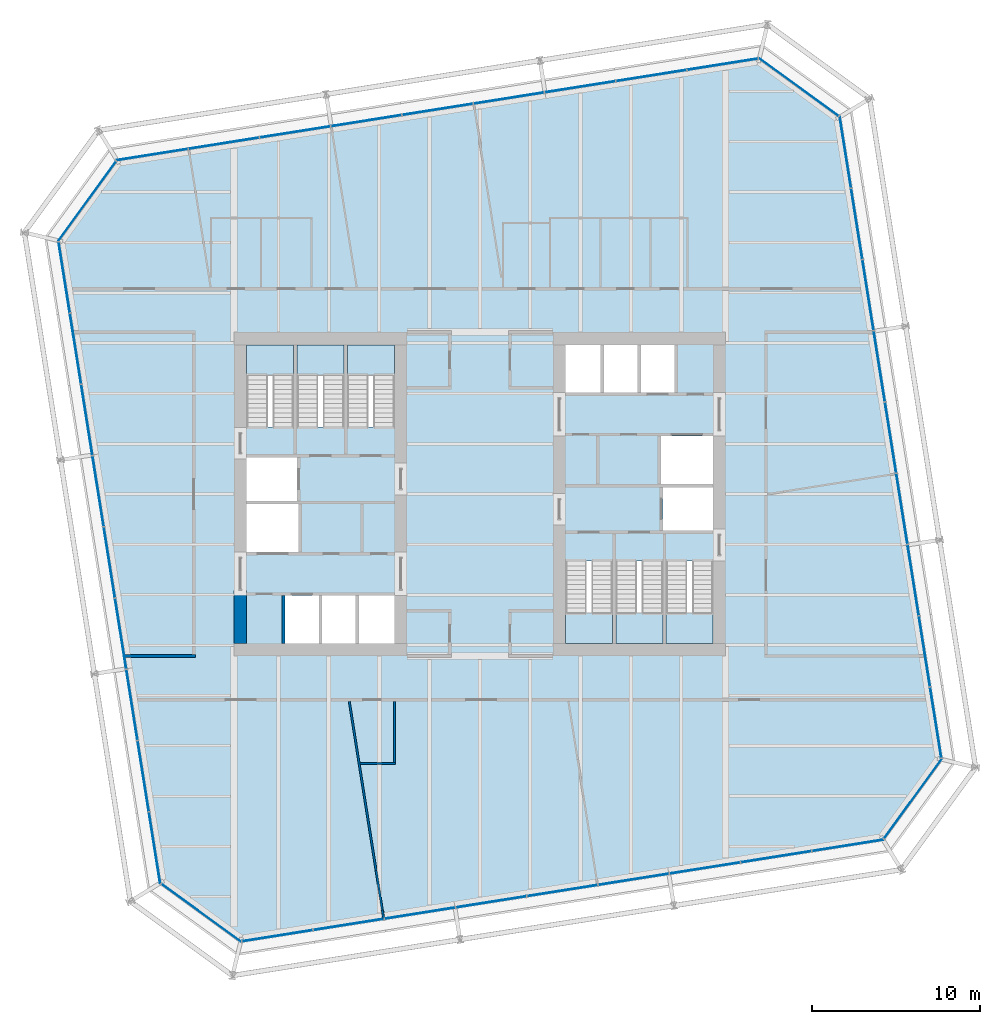
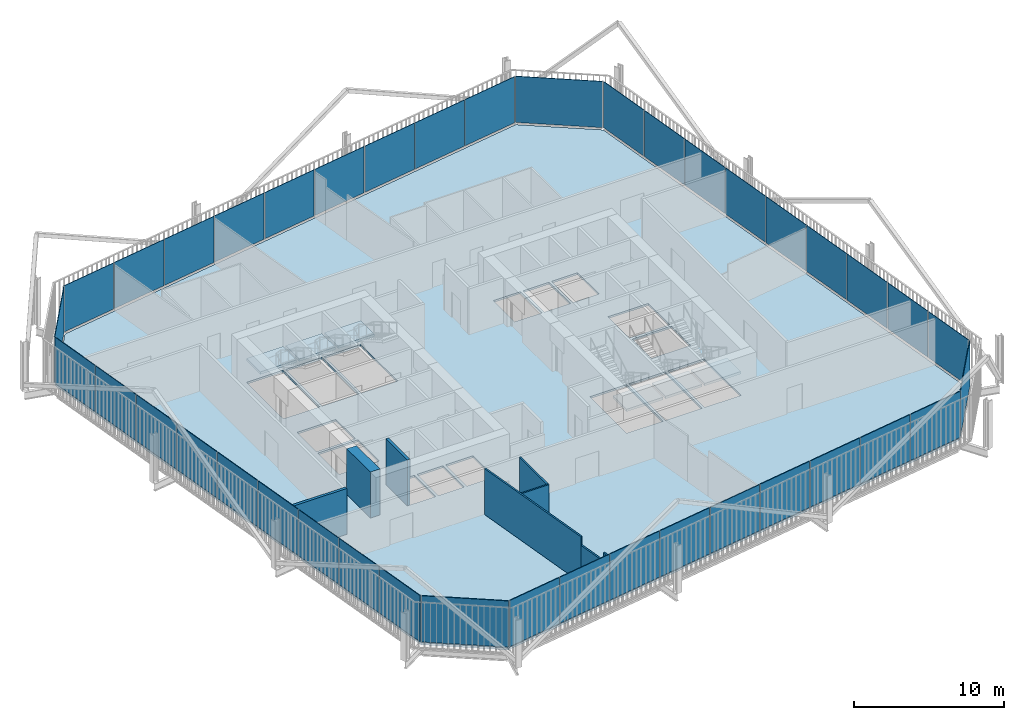
# One storey, part 17 of 22: 40 plates, 8 walls, 7 slabs, 14 elements without a shape of their own.
"""IFC4 building model written with IfcOpenShell, lengths in metres."""

from ifc_helpers import new_model, si_unit, direction, frame, frame_2d, origin, place, context, subcontext, project, spatial, polyline, rectangle, outline, extrude, material, layer, layer_set, type_object, element, aggregate, save


model = new_model("IFC4")

# Units and contexts
model_context = context("Model", 3, precision=1e-05, world=origin(), true_north=direction((0.0, 1.0)))
body_context = subcontext(model_context, "Body", "Model", "MODEL_VIEW")
ifc_project = project(units=[si_unit("LENGTHUNIT", "METRE"), si_unit("AREAUNIT", "SQUARE_METRE"), si_unit("VOLUMEUNIT", "CUBIC_METRE"), si_unit("PLANEANGLEUNIT", "RADIAN"), si_unit("MASSUNIT", "GRAM", prefix="KILO")], contexts=[model_context])

# Site, building, storey
site_placement = place(None, origin())
site = spatial("IfcSite", under=ifc_project, at=site_placement, CompositionType="ELEMENT")
building_placement = place(site_placement, origin())
building = spatial("IfcBuilding", under=site, at=building_placement, Name="Millrace Tower", CompositionType="ELEMENT")
storey_placement = place(building_placement, frame((0.0, 0.0, 187.800048828125)))
storey = spatial("IfcBuildingStorey", under=building, at=storey_placement, Name="L42", CompositionType="ELEMENT", Elevation=187.800048828125)

# Curtain wall, plate
ifc_material_1 = material(Name="Aluminium and glass", Category="aluminium")
ifc_layer_1 = layer(ifc_material_1, 0.14990234375)
ifc_layer_set_1 = layer_set([ifc_layer_1], Name="Aluminium and glass")
curtain_wall_type = type_object("IfcCurtainWallType", Name="CW-1 office vision curtain wall", PredefinedType="NOTDEFINED", material=ifc_layer_set_1)
placement_1 = place(storey_placement, origin())
curtain_wall_1 = element("IfcCurtainWall", 1, at=placement_1, inside=storey, type_object=curtain_wall_type, Name="Curtain wall C-F01 L42", PredefinedType="NOTDEFINED")
ifc_material_2 = material(Name="Glass", Category="glass")
ifc_layer_2 = layer(ifc_material_2, 0.0439453125)
ifc_layer_set_2 = layer_set([ifc_layer_2], Name="Glass")
plate_type = type_object("IfcPlateType", Name="CW-1 office vision curtain wall triple-glazed vision panel", PredefinedType="CURTAIN_PANEL", material=ifc_layer_set_2)
placement_2 = place(storey_placement, frame((0.0, 0.0, 0.139892578125)))
plate_1 = element("IfcPlate", 2, at=placement_2, type_object=plate_type, Name="CW1 panel C-F01.1", PredefinedType="CURTAIN_PANEL", context=body_context, shape_type="SweptSolid", body=[
    extrude(outline(polyline([(-18.988037109375, -23.254638671875), (-14.260009765625, -26.689697265625), (-14.2490234375, -26.6435546875), (-18.962158203125, -23.218994140625), (-18.988037109375, -23.254638671875)])), origin(), (0.0, 0.0, 1.0), 3.760009765625),
])
aggregate(curtain_wall_1, [plate_1])

# Curtain wall, plates
curtain_wall_2 = element("IfcCurtainWall", 3, at=placement_1, inside=storey, type_object=curtain_wall_type, Name="Curtain wall C-F02 L42", PredefinedType="NOTDEFINED")
plate_2 = element("IfcPlate", 4, at=placement_2, type_object=plate_type, Name="CW1 panel C-F02.1", PredefinedType="CURTAIN_PANEL", context=body_context, shape_type="SweptSolid", body=[
    extrude(outline(polyline([(-14.15625, -26.67333984375), (-9.973388671875, -26.0107421875), (-9.980224609375, -25.96728515625), (-14.1630859375, -26.6298828125), (-14.15625, -26.67333984375)])), origin(), (0.0, 0.0, 1.0), 3.760009765625),
])
plate_3 = element("IfcPlate", 5, at=placement_2, type_object=plate_type, Name="CW1 panel C-F02.2", PredefinedType="CURTAIN_PANEL", context=body_context, shape_type="SweptSolid", body=[
    extrude(outline(polyline([(-9.9091796875, -26.000732421875), (-5.726318359375, -25.338134765625), (-5.733154296875, -25.294677734375), (-9.916015625, -25.957275390625), (-9.9091796875, -26.000732421875)])), origin(), (0.0, 0.0, 1.0), 3.760009765625),
])
plate_4 = element("IfcPlate", 6, at=placement_2, type_object=plate_type, Name="CW1 panel C-F02.3", PredefinedType="CURTAIN_PANEL", context=body_context, shape_type="SweptSolid", body=[
    extrude(outline(polyline([(-5.662109375, -25.327880859375), (-1.479248046875, -24.66552734375), (-1.486083984375, -24.6220703125), (-5.6689453125, -25.284423828125), (-5.662109375, -25.327880859375)])), origin(), (0.0, 0.0, 1.0), 3.760009765625),
])
plate_5 = element("IfcPlate", 7, at=placement_2, type_object=plate_type, Name="CW1 panel C-F02.4", PredefinedType="CURTAIN_PANEL", context=body_context, shape_type="SweptSolid", body=[
    extrude(outline(polyline([(-1.4150390625, -24.6552734375), (2.767822265625, -23.992919921875), (2.760986328125, -23.949462890625), (-1.421875, -24.61181640625), (-1.4150390625, -24.6552734375)])), origin(), (0.0, 0.0, 1.0), 3.760009765625),
])
plate_6 = element("IfcPlate", 8, at=placement_2, type_object=plate_type, Name="CW1 panel C-F02.5", PredefinedType="CURTAIN_PANEL", context=body_context, shape_type="SweptSolid", body=[
    extrude(outline(polyline([(2.83203125, -23.982666015625), (7.014892578125, -23.320068359375), (7.008056640625, -23.276611328125), (2.8251953125, -23.939208984375), (2.83203125, -23.982666015625)])), origin(), (0.0, 0.0, 1.0), 3.760009765625),
])
plate_7 = element("IfcPlate", 9, at=placement_2, type_object=plate_type, Name="CW1 panel C-F02.6", PredefinedType="CURTAIN_PANEL", context=body_context, shape_type="SweptSolid", body=[
    extrude(outline(polyline([(7.0791015625, -23.31005859375), (11.261962890625, -22.6474609375), (11.255126953125, -22.60400390625), (7.072265625, -23.2666015625), (7.0791015625, -23.31005859375)])), origin(), (0.0, 0.0, 1.0), 3.760009765625),
])
plate_8 = element("IfcPlate", 10, at=placement_2, type_object=plate_type, Name="CW1 panel C-F02.7", PredefinedType="CURTAIN_PANEL", context=body_context, shape_type="SweptSolid", body=[
    extrude(outline(polyline([(11.326171875, -22.63720703125), (15.509033203125, -21.974853515625), (15.502197265625, -21.931396484375), (11.3193359375, -22.59375), (11.326171875, -22.63720703125)])), origin(), (0.0, 0.0, 1.0), 3.760009765625),
])
plate_9 = element("IfcPlate", 11, at=placement_2, type_object=plate_type, Name="CW1 panel C-F02.8", PredefinedType="CURTAIN_PANEL", context=body_context, shape_type="SweptSolid", body=[
    extrude(outline(polyline([(15.5732421875, -21.964599609375), (19.756103515625, -21.30224609375), (19.749267578125, -21.2587890625), (15.56640625, -21.921142578125), (15.5732421875, -21.964599609375)])), origin(), (0.0, 0.0, 1.0), 3.760009765625),
])
plate_10 = element("IfcPlate", 12, at=placement_2, type_object=plate_type, Name="CW1 panel C-F02.9", PredefinedType="CURTAIN_PANEL", context=body_context, shape_type="SweptSolid", body=[
    extrude(outline(polyline([(19.8203125, -21.2919921875), (24.042724609375, -20.623291015625), (24.01806640625, -20.58251953125), (19.8134765625, -21.24853515625), (19.8203125, -21.2919921875)])), origin(), (0.0, 0.0, 1.0), 3.760009765625),
])
aggregate(curtain_wall_2, [plate_2, plate_3, plate_4, plate_5, plate_6, plate_7, plate_8, plate_9, plate_10])

# Curtain wall, plate
curtain_wall_3 = element("IfcCurtainWall", 13, at=placement_1, inside=storey, type_object=curtain_wall_type, Name="Curtain wall C-F03 L42", PredefinedType="NOTDEFINED")
plate_11 = element("IfcPlate", 14, at=placement_2, type_object=plate_type, Name="CW1 panel C-F03.1", PredefinedType="CURTAIN_PANEL", context=body_context, shape_type="SweptSolid", body=[
    extrude(outline(polyline([(24.104736328125, -20.5380859375), (27.539794921875, -15.81005859375), (27.493408203125, -15.799072265625), (24.069091796875, -20.51220703125), (24.104736328125, -20.5380859375)])), origin(), (0.0, 0.0, 1.0), 3.760009765625),
])
aggregate(curtain_wall_3, [plate_11])

# Curtain wall, plates
curtain_wall_4 = element("IfcCurtainWall", 15, at=placement_1, inside=storey, type_object=curtain_wall_type, Name="Curtain wall C-F04 L42", PredefinedType="NOTDEFINED")
plate_12 = element("IfcPlate", 16, at=placement_2, type_object=plate_type, Name="CW1 panel C-F04.1", PredefinedType="CURTAIN_PANEL", context=body_context, shape_type="SweptSolid", body=[
    extrude(outline(polyline([(27.5234375, -15.706298828125), (26.86083984375, -11.5234375), (26.8173828125, -11.5302734375), (27.47998046875, -15.713134765625), (27.5234375, -15.706298828125)])), origin(), (0.0, 0.0, 1.0), 3.760009765625),
])
plate_13 = element("IfcPlate", 17, at=placement_2, type_object=plate_type, Name="CW1 panel C-F04.2", PredefinedType="CURTAIN_PANEL", context=body_context, shape_type="SweptSolid", body=[
    extrude(outline(polyline([(26.8505859375, -11.459228515625), (26.188232421875, -7.2763671875), (26.144775390625, -7.283203125), (26.80712890625, -11.466064453125), (26.8505859375, -11.459228515625)])), origin(), (0.0, 0.0, 1.0), 3.760009765625),
])
plate_14 = element("IfcPlate", 18, at=placement_2, type_object=plate_type, Name="CW1 panel C-F04.3", PredefinedType="CURTAIN_PANEL", context=body_context, shape_type="SweptSolid", body=[
    extrude(outline(polyline([(26.177978515625, -7.212158203125), (25.515380859375, -3.029296875), (25.471923828125, -3.0361328125), (26.134521484375, -7.218994140625), (26.177978515625, -7.212158203125)])), origin(), (0.0, 0.0, 1.0), 3.760009765625),
])
plate_15 = element("IfcPlate", 19, at=placement_2, type_object=plate_type, Name="CW1 panel C-F04.4", PredefinedType="CURTAIN_PANEL", context=body_context, shape_type="SweptSolid", body=[
    extrude(outline(polyline([(25.50537109375, -2.965087890625), (24.8427734375, 1.2177734375), (24.79931640625, 1.2109375), (25.4619140625, -2.971923828125), (25.50537109375, -2.965087890625)])), origin(), (0.0, 0.0, 1.0), 3.760009765625),
])
plate_16 = element("IfcPlate", 20, at=placement_2, type_object=plate_type, Name="CW1 panel C-F04.5", PredefinedType="CURTAIN_PANEL", context=body_context, shape_type="SweptSolid", body=[
    extrude(outline(polyline([(24.832763671875, 1.281982421875), (24.170166015625, 5.46484375), (24.126708984375, 5.4580078125), (24.789306640625, 1.275146484375), (24.832763671875, 1.281982421875)])), origin(), (0.0, 0.0, 1.0), 3.760009765625),
])
plate_17 = element("IfcPlate", 21, at=placement_2, type_object=plate_type, Name="CW1 panel C-F04.6", PredefinedType="CURTAIN_PANEL", context=body_context, shape_type="SweptSolid", body=[
    extrude(outline(polyline([(24.159912109375, 5.529052734375), (23.49755859375, 9.7119140625), (23.4541015625, 9.705078125), (24.116455078125, 5.522216796875), (24.159912109375, 5.529052734375)])), origin(), (0.0, 0.0, 1.0), 3.760009765625),
])
plate_18 = element("IfcPlate", 22, at=placement_2, type_object=plate_type, Name="CW1 panel C-F04.7", PredefinedType="CURTAIN_PANEL", context=body_context, shape_type="SweptSolid", body=[
    extrude(outline(polyline([(23.4873046875, 9.776123046875), (22.82470703125, 13.958984375), (22.78125, 13.9521484375), (23.44384765625, 9.769287109375), (23.4873046875, 9.776123046875)])), origin(), (0.0, 0.0, 1.0), 3.760009765625),
])
plate_19 = element("IfcPlate", 23, at=placement_2, type_object=plate_type, Name="CW1 panel C-F04.8", PredefinedType="CURTAIN_PANEL", context=body_context, shape_type="SweptSolid", body=[
    extrude(outline(polyline([(22.814697265625, 14.023193359375), (22.152099609375, 18.2060546875), (22.108642578125, 18.19921875), (22.771240234375, 14.016357421875), (22.814697265625, 14.023193359375)])), origin(), (0.0, 0.0, 1.0), 3.760009765625),
])
plate_20 = element("IfcPlate", 24, at=placement_2, type_object=plate_type, Name="CW1 panel C-F04.9", PredefinedType="CURTAIN_PANEL", context=body_context, shape_type="SweptSolid", body=[
    extrude(outline(polyline([(22.14208984375, 18.270263671875), (21.47314453125, 22.492919921875), (21.4326171875, 22.468017578125), (22.0986328125, 18.263427734375), (22.14208984375, 18.270263671875)])), origin(), (0.0, 0.0, 1.0), 3.760009765625),
])
aggregate(curtain_wall_4, [plate_12, plate_13, plate_14, plate_15, plate_16, plate_17, plate_18, plate_19, plate_20])

# Curtain wall, plate
curtain_wall_5 = element("IfcCurtainWall", 25, at=placement_1, inside=storey, type_object=curtain_wall_type, Name="Curtain wall C-F05 L42", PredefinedType="NOTDEFINED")
plate_21 = element("IfcPlate", 26, at=placement_2, type_object=plate_type, Name="CW1 panel C-F05.1", PredefinedType="CURTAIN_PANEL", context=body_context, shape_type="SweptSolid", body=[
    extrude(outline(polyline([(21.38818359375, 22.5546875), (16.66015625, 25.98974609375), (16.64892578125, 25.943359375), (21.3623046875, 22.51904296875), (21.38818359375, 22.5546875)])), origin(), (0.0, 0.0, 1.0), 3.760009765625),
])
aggregate(curtain_wall_5, [plate_21])

# Curtain wall, plates
curtain_wall_6 = element("IfcCurtainWall", 27, at=placement_1, inside=storey, type_object=curtain_wall_type, Name="Curtain wall C-F06 L42", PredefinedType="NOTDEFINED")
plate_22 = element("IfcPlate", 28, at=placement_2, type_object=plate_type, Name="CW1 panel C-F06.1", PredefinedType="CURTAIN_PANEL", context=body_context, shape_type="SweptSolid", body=[
    extrude(outline(polyline([(16.55615234375, 25.973388671875), (12.373291015625, 25.310791015625), (12.380126953125, 25.267333984375), (16.56298828125, 25.929931640625), (16.55615234375, 25.973388671875)])), origin(), (0.0, 0.0, 1.0), 3.760009765625),
])
plate_23 = element("IfcPlate", 29, at=placement_2, type_object=plate_type, Name="CW1 panel C-F06.2", PredefinedType="CURTAIN_PANEL", context=body_context, shape_type="SweptSolid", body=[
    extrude(outline(polyline([(12.30908203125, 25.300537109375), (8.126220703125, 24.63818359375), (8.133056640625, 24.5947265625), (12.31591796875, 25.257080078125), (12.30908203125, 25.300537109375)])), origin(), (0.0, 0.0, 1.0), 3.760009765625),
])
plate_24 = element("IfcPlate", 30, at=placement_2, type_object=plate_type, Name="CW1 panel C-F06.3", PredefinedType="CURTAIN_PANEL", context=body_context, shape_type="SweptSolid", body=[
    extrude(outline(polyline([(8.06201171875, 24.6279296875), (3.879150390625, 23.965576171875), (3.885986328125, 23.922119140625), (8.06884765625, 24.58447265625), (8.06201171875, 24.6279296875)])), origin(), (0.0, 0.0, 1.0), 3.760009765625),
])
plate_25 = element("IfcPlate", 31, at=placement_2, type_object=plate_type, Name="CW1 panel C-F06.4", PredefinedType="CURTAIN_PANEL", context=body_context, shape_type="SweptSolid", body=[
    extrude(outline(polyline([(3.81494140625, 23.955322265625), (-0.367919921875, 23.292724609375), (-0.361083984375, 23.249267578125), (3.82177734375, 23.911865234375), (3.81494140625, 23.955322265625)])), origin(), (0.0, 0.0, 1.0), 3.760009765625),
])
plate_26 = element("IfcPlate", 32, at=placement_2, type_object=plate_type, Name="CW1 panel C-F06.5", PredefinedType="CURTAIN_PANEL", context=body_context, shape_type="SweptSolid", body=[
    extrude(outline(polyline([(-0.43212890625, 23.28271484375), (-4.614990234375, 22.6201171875), (-4.60791015625, 22.57666015625), (-0.42529296875, 23.2392578125), (-0.43212890625, 23.28271484375)])), origin(), (0.0, 0.0, 1.0), 3.760009765625),
])
plate_27 = element("IfcPlate", 33, at=placement_2, type_object=plate_type, Name="CW1 panel C-F06.6", PredefinedType="CURTAIN_PANEL", context=body_context, shape_type="SweptSolid", body=[
    extrude(outline(polyline([(-4.67919921875, 22.60986328125), (-8.862060546875, 21.947509765625), (-8.85498046875, 21.904052734375), (-4.672119140625, 22.56640625), (-4.67919921875, 22.60986328125)])), origin(), (0.0, 0.0, 1.0), 3.760009765625),
])
plate_28 = element("IfcPlate", 34, at=placement_2, type_object=plate_type, Name="CW1 panel C-F06.7", PredefinedType="CURTAIN_PANEL", context=body_context, shape_type="SweptSolid", body=[
    extrude(outline(polyline([(-8.92626953125, 21.937255859375), (-13.109130859375, 21.27490234375), (-13.10205078125, 21.2314453125), (-8.919189453125, 21.893798828125), (-8.92626953125, 21.937255859375)])), origin(), (0.0, 0.0, 1.0), 3.760009765625),
])
plate_29 = element("IfcPlate", 35, at=placement_2, type_object=plate_type, Name="CW1 panel C-F06.8", PredefinedType="CURTAIN_PANEL", context=body_context, shape_type="SweptSolid", body=[
    extrude(outline(polyline([(-13.17333984375, 21.2646484375), (-17.356201171875, 20.60205078125), (-17.34912109375, 20.55859375), (-13.166259765625, 21.22119140625), (-13.17333984375, 21.2646484375)])), origin(), (0.0, 0.0, 1.0), 3.760009765625),
])
plate_30 = element("IfcPlate", 36, at=placement_2, type_object=plate_type, Name="CW1 panel C-F06.9", PredefinedType="CURTAIN_PANEL", context=body_context, shape_type="SweptSolid", body=[
    extrude(outline(polyline([(-17.42041015625, 20.592041015625), (-21.642822265625, 19.923095703125), (-21.617919921875, 19.882568359375), (-17.413330078125, 20.548583984375), (-17.42041015625, 20.592041015625)])), origin(), (0.0, 0.0, 1.0), 3.760009765625),
])
aggregate(curtain_wall_6, [plate_22, plate_23, plate_24, plate_25, plate_26, plate_27, plate_28, plate_29, plate_30])

# Curtain wall, plate
curtain_wall_7 = element("IfcCurtainWall", 37, at=placement_1, inside=storey, type_object=curtain_wall_type, Name="Curtain wall C-F07 L42", PredefinedType="NOTDEFINED")
plate_31 = element("IfcPlate", 38, at=placement_2, type_object=plate_type, Name="CW1 panel C-F07.1", PredefinedType="CURTAIN_PANEL", context=body_context, shape_type="SweptSolid", body=[
    extrude(outline(polyline([(-21.70458984375, 19.838134765625), (-25.139892578125, 15.110107421875), (-25.093505859375, 15.098876953125), (-21.6689453125, 19.812255859375), (-21.70458984375, 19.838134765625)])), origin(), (0.0, 0.0, 1.0), 3.760009765625),
])
aggregate(curtain_wall_7, [plate_31])

# Curtain wall, plates
curtain_wall_8 = element("IfcCurtainWall", 39, at=placement_1, inside=storey, type_object=curtain_wall_type, Name="Curtain wall C-F08 L42", PredefinedType="NOTDEFINED")
plate_32 = element("IfcPlate", 40, at=placement_2, type_object=plate_type, Name="CW1 panel C-F08.1", PredefinedType="CURTAIN_PANEL", context=body_context, shape_type="SweptSolid", body=[
    extrude(outline(polyline([(-25.123291015625, 15.006103515625), (-24.4609375, 10.8232421875), (-24.41748046875, 10.830322265625), (-25.079833984375, 15.01318359375), (-25.123291015625, 15.006103515625)])), origin(), (0.0, 0.0, 1.0), 3.760009765625),
])
plate_33 = element("IfcPlate", 41, at=placement_2, type_object=plate_type, Name="CW1 panel C-F08.2", PredefinedType="CURTAIN_PANEL", context=body_context, shape_type="SweptSolid", body=[
    extrude(outline(polyline([(-24.45068359375, 10.759033203125), (-23.7880859375, 6.576171875), (-23.74462890625, 6.583251953125), (-24.4072265625, 10.76611328125), (-24.45068359375, 10.759033203125)])), origin(), (0.0, 0.0, 1.0), 3.760009765625),
])
plate_34 = element("IfcPlate", 42, at=placement_2, type_object=plate_type, Name="CW1 panel C-F08.3", PredefinedType="CURTAIN_PANEL", context=body_context, shape_type="SweptSolid", body=[
    extrude(outline(polyline([(-23.778076171875, 6.511962890625), (-23.115478515625, 2.3291015625), (-23.072021484375, 2.336181640625), (-23.734619140625, 6.51904296875), (-23.778076171875, 6.511962890625)])), origin(), (0.0, 0.0, 1.0), 3.760009765625),
])
plate_35 = element("IfcPlate", 43, at=placement_2, type_object=plate_type, Name="CW1 panel C-F08.4", PredefinedType="CURTAIN_PANEL", context=body_context, shape_type="SweptSolid", body=[
    extrude(outline(polyline([(-23.105224609375, 2.264892578125), (-22.44287109375, -1.91796875), (-22.3994140625, -1.910888671875), (-23.061767578125, 2.27197265625), (-23.105224609375, 2.264892578125)])), origin(), (0.0, 0.0, 1.0), 3.760009765625),
])
plate_36 = element("IfcPlate", 44, at=placement_2, type_object=plate_type, Name="CW1 panel C-F08.5", PredefinedType="CURTAIN_PANEL", context=body_context, shape_type="SweptSolid", body=[
    extrude(outline(polyline([(-22.4326171875, -1.98193359375), (-21.770263671875, -6.164794921875), (-21.726806640625, -6.157958984375), (-22.38916015625, -1.97509765625), (-22.4326171875, -1.98193359375)])), origin(), (0.0, 0.0, 1.0), 3.760009765625),
])
plate_37 = element("IfcPlate", 45, at=placement_2, type_object=plate_type, Name="CW1 panel C-F08.6", PredefinedType="CURTAIN_PANEL", context=body_context, shape_type="SweptSolid", body=[
    extrude(outline(polyline([(-21.760009765625, -6.22900390625), (-21.097412109375, -10.411865234375), (-21.053955078125, -10.405029296875), (-21.716552734375, -6.22216796875), (-21.760009765625, -6.22900390625)])), origin(), (0.0, 0.0, 1.0), 3.760009765625),
])
plate_38 = element("IfcPlate", 46, at=placement_2, type_object=plate_type, Name="CW1 panel C-F08.7", PredefinedType="CURTAIN_PANEL", context=body_context, shape_type="SweptSolid", body=[
    extrude(outline(polyline([(-21.08740234375, -10.47607421875), (-20.4248046875, -14.658935546875), (-20.38134765625, -14.652099609375), (-21.0439453125, -10.46923828125), (-21.08740234375, -10.47607421875)])), origin(), (0.0, 0.0, 1.0), 3.760009765625),
])
plate_39 = element("IfcPlate", 47, at=placement_2, type_object=plate_type, Name="CW1 panel C-F08.8", PredefinedType="CURTAIN_PANEL", context=body_context, shape_type="SweptSolid", body=[
    extrude(outline(polyline([(-20.41455078125, -14.72314453125), (-19.752197265625, -18.906005859375), (-19.708740234375, -18.899169921875), (-20.37109375, -14.71630859375), (-20.41455078125, -14.72314453125)])), origin(), (0.0, 0.0, 1.0), 3.760009765625),
])
plate_40 = element("IfcPlate", 48, at=placement_2, type_object=plate_type, Name="CW1 panel C-F08.9", PredefinedType="CURTAIN_PANEL", context=body_context, shape_type="SweptSolid", body=[
    extrude(outline(polyline([(-19.741943359375, -18.97021484375), (-19.0732421875, -23.19287109375), (-19.032470703125, -23.16796875), (-19.698486328125, -18.96337890625), (-19.741943359375, -18.97021484375)])), origin(), (0.0, 0.0, 1.0), 3.760009765625),
])
aggregate(curtain_wall_8, [plate_32, plate_33, plate_34, plate_35, plate_36, plate_37, plate_38, plate_39, plate_40])

# Slab
ifc_material_3 = material(Name="Concrete C35 on steel deck", Category="concrete")
ifc_layer_3 = layer(ifc_material_3, 0.159912109375)
ifc_layer_set_3 = layer_set([ifc_layer_3], Name="Concrete C35 on steel deck")
slab_type_1 = type_object("IfcSlabType", Name="Composite floor slab 160 mm", PredefinedType="FLOOR", material=ifc_layer_set_3)
slab_1_placement = place(storey_placement, frame((0.0, 0.0, -0.16015625)))
element("IfcSlab", 49, at=slab_1_placement, inside=storey, type_object=slab_type_1, Name="SL-C-L42-S1", PredefinedType="FLOOR", context=body_context, shape_type="SweptSolid", body=[
    extrude(outline(polyline([(-18.983642578125, -23.137939453125), (-14.235595703125, -26.587646484375), (23.988037109375, -20.53369140625), (27.437744140625, -15.78564453125), (21.3837890625, 22.43798828125), (16.635498046875, 25.8876953125), (-21.587890625, 19.833740234375), (-25.03759765625, 15.08544921875), (-18.983642578125, -23.137939453125)]), holes=[polyline([(-11.60009765625, -8.89990234375), (-9.60009765625, -8.89990234375), (-9.60009765625, -6.050048828125), (-11.60009765625, -6.050048828125), (-11.60009765625, -8.89990234375)]), polyline([(-9.39990234375, -8.89990234375), (-7.39990234375, -8.89990234375), (-7.39990234375, -6.050048828125), (-9.39990234375, -6.050048828125), (-9.39990234375, -8.89990234375)]), polyline([(-7.199951171875, -8.89990234375), (-5.10009765625, -8.89990234375), (-5.10009765625, -6.050048828125), (-7.199951171875, -6.050048828125), (-7.199951171875, -8.89990234375)]), polyline([(-13.89990234375, -3.449951171875), (-10.800048828125, -3.449951171875), (-10.800048828125, -0.60009765625), (-13.89990234375, -0.60009765625), (-13.89990234375, -3.449951171875)]), polyline([(-13.89990234375, -0.39990234375), (-10.89990234375, -0.39990234375), (-10.89990234375, 2.179931640625), (-13.89990234375, 2.179931640625), (-13.89990234375, -0.39990234375)]), polyline([(-13.89990234375, 4.0), (-11.10009765625, 4.0), (-11.10009765625, 8.89990234375), (-13.89990234375, 8.89990234375), (-13.89990234375, 4.0)]), polyline([(-10.89990234375, 4.0), (-8.10009765625, 4.0), (-8.10009765625, 8.89990234375), (-10.89990234375, 8.89990234375), (-10.89990234375, 4.0)]), polyline([(-7.89990234375, 4.0), (-5.10009765625, 4.0), (-5.10009765625, 8.89990234375), (-7.89990234375, 8.89990234375), (-7.89990234375, 4.0)]), polyline([(9.60009765625, 6.050048828125), (11.60009765625, 6.050048828125), (11.60009765625, 8.89990234375), (9.60009765625, 8.89990234375), (9.60009765625, 6.050048828125)]), polyline([(7.39990234375, 6.050048828125), (9.39990234375, 6.050048828125), (9.39990234375, 8.89990234375), (7.39990234375, 8.89990234375), (7.39990234375, 6.050048828125)]), polyline([(5.10009765625, 6.050048828125), (7.199951171875, 6.050048828125), (7.199951171875, 8.89990234375), (5.10009765625, 8.89990234375), (5.10009765625, 6.050048828125)]), polyline([(10.800048828125, 0.60009765625), (13.89990234375, 0.60009765625), (13.89990234375, 3.449951171875), (10.800048828125, 3.449951171875), (10.800048828125, 0.60009765625)]), polyline([(10.89990234375, -2.179931640625), (13.89990234375, -2.179931640625), (13.89990234375, 0.39990234375), (10.89990234375, 0.39990234375), (10.89990234375, -2.179931640625)]), polyline([(11.10009765625, -8.89990234375), (13.89990234375, -8.89990234375), (13.89990234375, -4.0), (11.10009765625, -4.0), (11.10009765625, -8.89990234375)]), polyline([(8.10009765625, -8.89990234375), (10.89990234375, -8.89990234375), (10.89990234375, -4.0), (8.10009765625, -4.0), (8.10009765625, -8.89990234375)]), polyline([(5.10009765625, -8.89990234375), (7.89990234375, -8.89990234375), (7.89990234375, -4.0), (5.10009765625, -4.0), (5.10009765625, -8.89990234375)])]), origin(), (0.0, 0.0, 1.0), 0.16015625),
])

# Stair, slab
ifc_material_4 = material(Name="Concrete C35", Category="concrete")
stair_type = type_object("IfcStairType", Name="Exit stair", PredefinedType="HALF_TURN_STAIR", material=ifc_material_4)
stair_1 = element("IfcStair", 50, at=placement_1, inside=storey, type_object=stair_type, Name="Stair 1 W L42", PredefinedType="HALF_TURN_STAIR")
ifc_material_5 = material(Name="Concrete C40", Category="concrete")
ifc_layer_4 = layer(ifc_material_5, 0.199951171875)
ifc_layer_set_4 = layer_set([ifc_layer_4], Name="Concrete C40")
slab_type_2 = type_object("IfcSlabType", Name="Stair landing", PredefinedType="LANDING", material=ifc_layer_set_4)
placement_3 = place(storey_placement, frame((0.0, 0.0, 1.75)))
slab_2 = element("IfcSlab", 51, at=placement_3, type_object=slab_type_2, Name="ST12 landing 1", PredefinedType="LANDING", context=body_context, shape_type="SweptSolid", body=[
    extrude(outline(polyline([(-13.89990234375, 7.080078125), (-11.10009765625, 7.080078125), (-11.10009765625, 8.89990234375), (-13.89990234375, 8.89990234375), (-13.89990234375, 7.080078125)])), origin(), (0.0, 0.0, 1.0), 0.199951171875),
])
aggregate(stair_1, [slab_2])

stair_2 = element("IfcStair", 52, at=placement_1, inside=storey, type_object=stair_type, Name="Stair 2 W L42", PredefinedType="HALF_TURN_STAIR")
slab_3 = element("IfcSlab", 53, at=placement_3, type_object=slab_type_2, Name="ST12 landing 1", PredefinedType="LANDING", context=body_context, shape_type="SweptSolid", body=[
    extrude(outline(polyline([(-10.89990234375, 7.080078125), (-8.10009765625, 7.080078125), (-8.10009765625, 8.89990234375), (-10.89990234375, 8.89990234375), (-10.89990234375, 7.080078125)])), origin(), (0.0, 0.0, 1.0), 0.199951171875),
])
aggregate(stair_2, [slab_3])

stair_3 = element("IfcStair", 54, at=placement_1, inside=storey, type_object=stair_type, Name="Stair 3 W L42", PredefinedType="HALF_TURN_STAIR")
slab_4 = element("IfcSlab", 55, at=placement_3, type_object=slab_type_2, Name="ST12 landing 1", PredefinedType="LANDING", context=body_context, shape_type="SweptSolid", body=[
    extrude(outline(polyline([(-7.89990234375, 7.080078125), (-5.10009765625, 7.080078125), (-5.10009765625, 8.89990234375), (-7.89990234375, 8.89990234375), (-7.89990234375, 7.080078125)])), origin(), (0.0, 0.0, 1.0), 0.199951171875),
])
aggregate(stair_3, [slab_4])

stair_4 = element("IfcStair", 56, at=placement_1, inside=storey, type_object=stair_type, Name="Stair 1 E L42", PredefinedType="HALF_TURN_STAIR")
slab_5 = element("IfcSlab", 57, at=placement_3, type_object=slab_type_2, Name="ST12 landing 1", PredefinedType="LANDING", context=body_context, shape_type="SweptSolid", body=[
    extrude(outline(polyline([(11.10009765625, -8.89990234375), (13.89990234375, -8.89990234375), (13.89990234375, -7.080078125), (11.10009765625, -7.080078125), (11.10009765625, -8.89990234375)])), origin(), (0.0, 0.0, 1.0), 0.199951171875),
])
aggregate(stair_4, [slab_5])

stair_5 = element("IfcStair", 58, at=placement_1, inside=storey, type_object=stair_type, Name="Stair 2 E L42", PredefinedType="HALF_TURN_STAIR")
slab_6 = element("IfcSlab", 59, at=placement_3, type_object=slab_type_2, Name="ST12 landing 1", PredefinedType="LANDING", context=body_context, shape_type="SweptSolid", body=[
    extrude(outline(polyline([(8.10009765625, -8.89990234375), (10.89990234375, -8.89990234375), (10.89990234375, -7.080078125), (8.10009765625, -7.080078125), (8.10009765625, -8.89990234375)])), origin(), (0.0, 0.0, 1.0), 0.199951171875),
])
aggregate(stair_5, [slab_6])

stair_6 = element("IfcStair", 60, at=placement_1, inside=storey, type_object=stair_type, Name="Stair 3 E L42", PredefinedType="HALF_TURN_STAIR")
slab_7 = element("IfcSlab", 61, at=placement_3, type_object=slab_type_2, Name="ST12 landing 1", PredefinedType="LANDING", context=body_context, shape_type="SweptSolid", body=[
    extrude(outline(polyline([(5.10009765625, -8.89990234375), (7.89990234375, -8.89990234375), (7.89990234375, -7.080078125), (5.10009765625, -7.080078125), (5.10009765625, -8.89990234375)])), origin(), (0.0, 0.0, 1.0), 0.199951171875),
])
aggregate(stair_6, [slab_7])

# Walls
ifc_material_6 = material(Name="Concrete C70", Category="concrete")
ifc_layer_5 = layer(ifc_material_6, 0.75)
ifc_layer_set_5 = layer_set([ifc_layer_5], Name="Concrete C70")
wall_type_1 = type_object("IfcWallType", Name="Core wall 750 Concrete C70", PredefinedType="SHEAR", material=ifc_layer_set_5)
wall_1_placement = place(storey_placement, frame((-14.27490234375, -8.89990234375, 0.0), z_axis=(0.0, 0.0, 1.0), x_axis=(0.0, 1.0, 0.0)))
element("IfcWall", 62, at=wall_1_placement, inside=storey, type_object=wall_type_1, Name="Core wall W L42", PredefinedType="SHEAR", context=body_context, shape_type="SweptSolid", body=[
    extrude(rectangle(XDim=3.14990234375, YDim=0.75, at=frame_2d((1.574951171875, 0.0))), origin(), (0.0, 0.0, 1.0), 3.739990234375),
])
ifc_material_7 = material(Name="Masonry partition, fire-rated", Category="masonry")
ifc_layer_6 = layer(ifc_material_7, 0.199951171875)
ifc_layer_set_6 = layer_set([ifc_layer_6], Name="Masonry partition, fire-rated")
wall_type_2 = type_object("IfcWallType", Name="Corridor wall 200", PredefinedType="PARTITIONING", material=ifc_layer_set_6)
wall_2_placement = place(storey_placement, frame((-21.150390625, -9.64990234375, 0.0), z_axis=(0.0, 0.0, 1.0), x_axis=(1.0, 0.0, 0.0)))
element("IfcWall", 63, at=wall_2_placement, inside=storey, type_object=wall_type_2, Name="Corridor wall L42", PredefinedType="PARTITIONING", context=body_context, shape_type="SweptSolid", body=[
    extrude(rectangle(XDim=4.200439453125, YDim=0.199951171875, at=frame_2d((2.10009765625, 0.0))), origin(), (0.0, 0.0, 1.0), 3.739990234375),
])
ifc_material_8 = material(Name="Masonry partition, fire-rated", Category="masonry")
ifc_layer_7 = layer(ifc_material_8, 0.199951171875)
ifc_layer_set_7 = layer_set([ifc_layer_7], Name="Masonry partition, fire-rated")
wall_type_3 = type_object("IfcWallType", Name="Lift shaft wall 200", PredefinedType="PARTITIONING", material=ifc_layer_set_7)
wall_3_placement = place(storey_placement, frame((-11.699951171875, -8.89990234375, 0.0), z_axis=(0.0, 0.0, 1.0), x_axis=(0.0, 1.0, 0.0)))
element("IfcWall", 64, at=wall_3_placement, inside=storey, type_object=wall_type_3, Name="Lift shaft wall W L42", PredefinedType="PARTITIONING", context=body_context, shape_type="SweptSolid", body=[
    extrude(rectangle(XDim=2.849853515625, YDim=0.199951171875, at=frame_2d((1.4248046875, 0.0))), origin(), (0.0, 0.0, 1.0), 3.739990234375),
])
ifc_material_9 = material(Name="Gypsum board partition")
ifc_layer_8 = layer(ifc_material_9, 0.1201171875)
ifc_layer_set_8 = layer_set([ifc_layer_8], Name="Gypsum board partition")
wall_type_4 = type_object("IfcWallType", Name="Partition wall 120", PredefinedType="PARTITIONING", material=ifc_layer_set_8)
wall_4_placement = place(storey_placement, frame((-7.783447265625, -12.348876953125, 0.0), z_axis=(0.0, 0.0, 1.0), x_axis=(0.156482523435, -0.987680727695, 0.0)))
element("IfcWall", 65, at=wall_4_placement, inside=storey, type_object=wall_type_4, Name="Partition wall L42", PredefinedType="PARTITIONING", context=body_context, shape_type="SweptSolid", body=[
    extrude(rectangle(XDim=10.198974609375, YDim=0.1201171875, at=frame_2d((5.099609375, 0.0))), origin(), (0.0, 0.0, 1.0), 3.739990234375),
])
wall_5_placement = place(storey_placement, frame((-6.1875, -22.422119140625, 0.0), z_axis=(0.0, 0.0, 1.0), x_axis=(0.156448980075, -0.98768604153, 0.0)))
element("IfcWall", 66, at=wall_5_placement, inside=storey, type_object=wall_type_4, Name="Partition wall L42", PredefinedType="PARTITIONING", context=body_context, shape_type="SweptSolid", body=[
    extrude(rectangle(XDim=2.39697265625, YDim=0.1201171875, at=frame_2d((1.198486328125, 0.0))), origin(), (0.0, 0.0, 1.0), 3.046630859375),
])
wall_6_placement = place(storey_placement, frame((-5.8125, -24.78955078125, 0.0), z_axis=(0.0, 0.0, 1.0), x_axis=(0.156450237182, -0.987685842404, 0.0)))
element("IfcWall", 67, at=wall_6_placement, inside=storey, type_object=wall_type_4, Name="Partition wall L42", PredefinedType="PARTITIONING", context=body_context, shape_type="SweptSolid", body=[
    extrude(rectangle(XDim=0.488525390625, YDim=0.1201171875, at=frame_2d((0.244140625, 0.0))), origin(), (0.0, 0.0, 1.0), 3.739990234375),
])
wall_7_placement = place(storey_placement, frame((-7.136962890625, -16.050048828125, 0.0), z_axis=(0.0, 0.0, 1.0), x_axis=(1.0, 0.0, 0.0)))
element("IfcWall", 68, at=wall_7_placement, inside=storey, type_object=wall_type_4, Name="Partition wall L42", PredefinedType="PARTITIONING", context=body_context, shape_type="SweptSolid", body=[
    extrude(rectangle(XDim=2.097900390625, YDim=0.1201171875, at=frame_2d((1.048828125, 0.0))), origin(), (0.0, 0.0, 1.0), 3.739990234375),
])
wall_8_placement = place(storey_placement, frame((-5.09912109375, -15.989990234375, 0.0), z_axis=(0.0, 0.0, 1.0), x_axis=(0.0, 1.0, 0.0)))
element("IfcWall", 69, at=wall_8_placement, inside=storey, type_object=wall_type_4, Name="Partition wall L42", PredefinedType="PARTITIONING", context=body_context, shape_type="SweptSolid", body=[
    extrude(rectangle(XDim=3.639892578125, YDim=0.1201171875, at=frame_2d((1.81982421875, 0.0))), origin(), (0.0, 0.0, 1.0), 3.739990234375),
])

save(model, "model.ifc")
